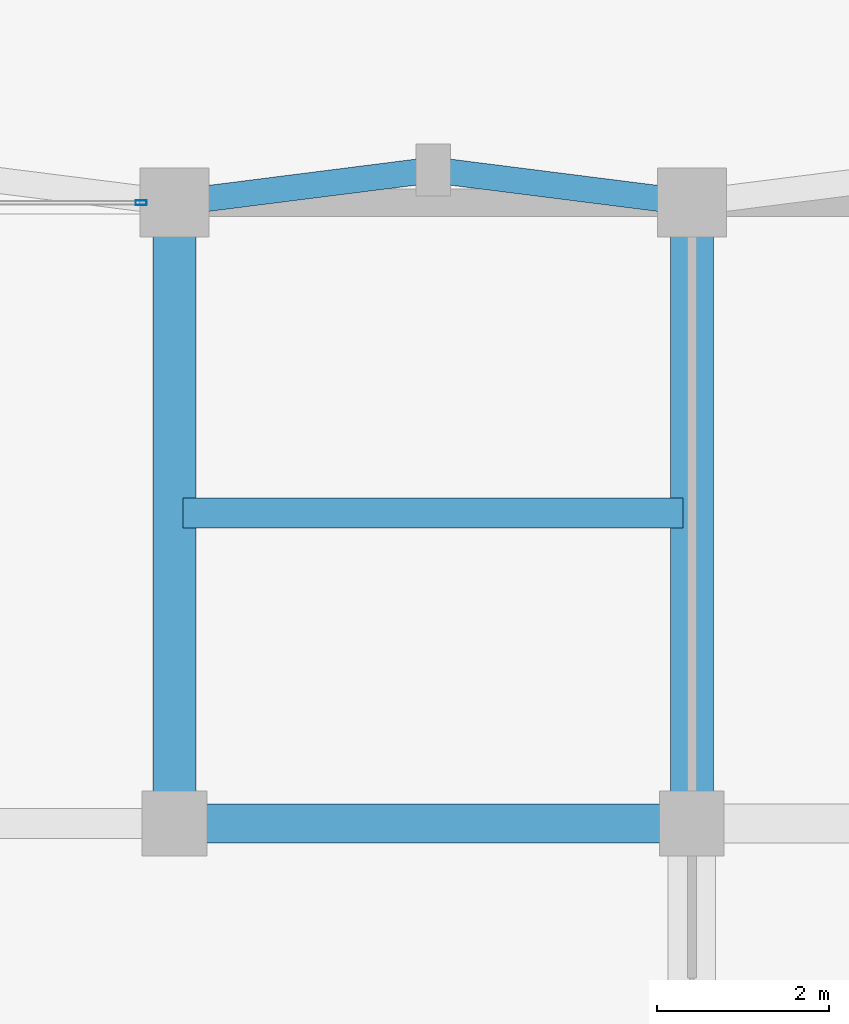
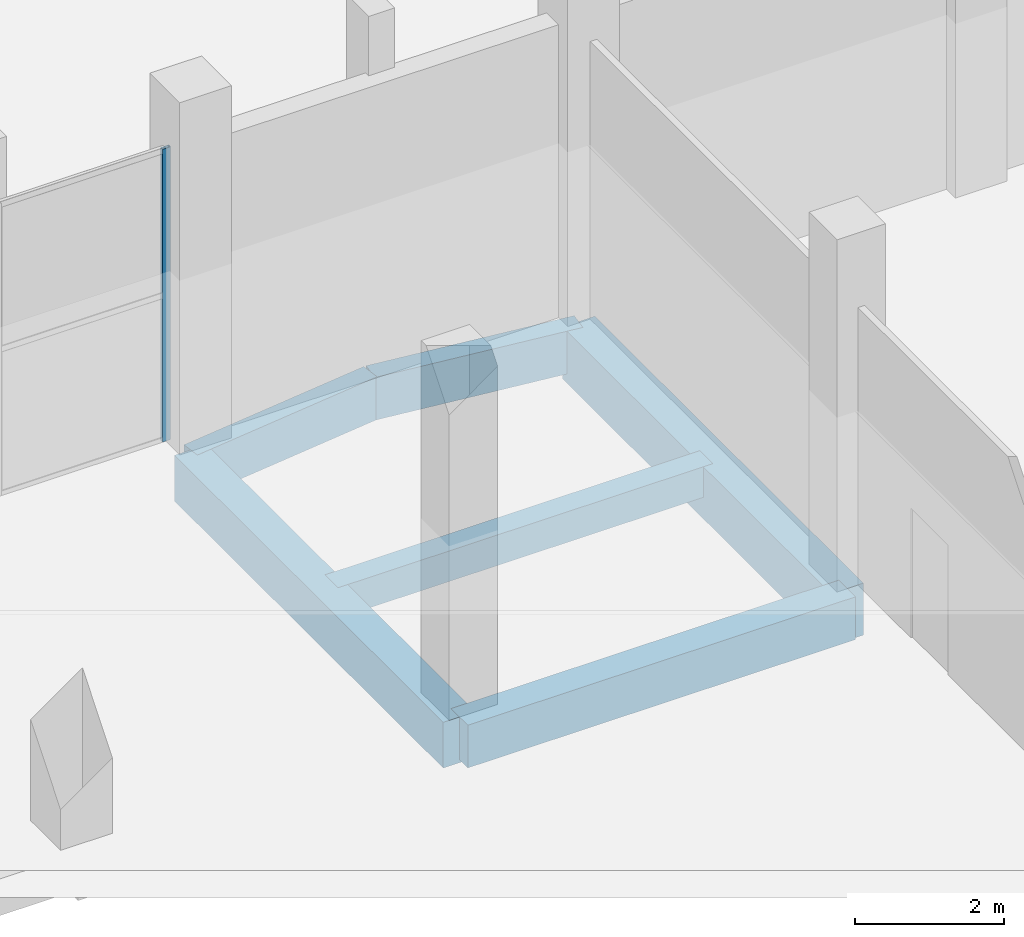
# One storey, part 42 of 103: 6 beams, 1 member, 1 element without a shape of its own.
"""IFC4 building model written with IfcOpenShell, lengths in metres."""

from ifc_helpers import new_model, si_unit, direction, frame, origin, origin_2d, place, context, subcontext, project, spatial, rectangle, hollow_rectangle, extrude, material, layer, layer_set, material_profile, profile_set, type_object, element, aggregate, save


model = new_model("IFC4")

# Units and contexts
model_context = context("Model", 3, precision=1e-05, world=origin(), true_north=direction((0.0, 1.0)))
body_context = subcontext(model_context, "Body", "Model", "MODEL_VIEW")
ifc_project = project(units=[si_unit("LENGTHUNIT", "METRE"), si_unit("AREAUNIT", "SQUARE_METRE"), si_unit("VOLUMEUNIT", "CUBIC_METRE"), si_unit("PLANEANGLEUNIT", "RADIAN"), si_unit("MASSUNIT", "GRAM", prefix="KILO")], contexts=[model_context])

# Site, building, storey
site_placement = place(None, origin())
site = spatial("IfcSite", under=ifc_project, at=site_placement, CompositionType="ELEMENT")
building_placement = place(site_placement, origin())
building = spatial("IfcBuilding", under=site, at=building_placement, Name="Dunvalen Ferry Terminal", CompositionType="ELEMENT")
storey_placement = place(building_placement, origin())
storey = spatial("IfcBuildingStorey", under=building, at=storey_placement, Name="L00", CompositionType="ELEMENT", Elevation=0.0)

# Curtain wall, member
ifc_material_1 = material(Name="Anodised marine aluminium and solar-control glazing", Category="aluminium")
ifc_layer = layer(ifc_material_1, 0.14990234375, Name="Anodised marine aluminium and solar-control glazing")
ifc_layer_set = layer_set([ifc_layer], Name="Anodised marine aluminium and solar-control glazing")
curtain_wall_type = type_object("IfcCurtainWallType", Name="ENV-CW-SYS-11", PredefinedType="NOTDEFINED", material=ifc_layer_set)
curtain_wall_placement = place(storey_placement, origin())
curtain_wall = element("IfcCurtainWall", 1, at=curtain_wall_placement, inside=storey, type_object=curtain_wall_type, Name="L00 Curtain Wall CW-V5CORE-L00-7-7", PredefinedType="NOTDEFINED")
ifc_material_2 = material(Name="Anodised marine aluminium EN AW-6063 T6", Category="aluminium")
ifc_material_profile_1 = material_profile(ifc_material_2, hollow_rectangle(XDim=0.054931640625, YDim=0.1298828125, WallThickness=0.003173828125, InnerFilletRadius=0.003173828125, OuterFilletRadius=0.00634765625, at=origin_2d()), Name="Anodised marine aluminium EN AW-6063 T6")
ifc_profile_set_1 = profile_set([ifc_material_profile_1], Name="Anodised marine aluminium EN AW-6063 T6")
member_type = type_object("IfcMemberType", Name="ENV-CW-MUL-4", PredefinedType="MULLION", material=ifc_profile_set_1)
member_placement = place(storey_placement, frame((47.612548828125, 36.0, 0.0), z_axis=(0.0, 0.0, 1.0), x_axis=(0.0, -1.0, 0.0)))
member = element("IfcMember", 2, at=member_placement, type_object=member_type, Name="CW-11 mullion 1", PredefinedType="MULLION", context=body_context, shape_type="SweptSolid", body=[
    extrude(hollow_rectangle(XDim=0.054931640625, YDim=0.1298828125, WallThickness=0.003173828125, InnerFilletRadius=0.003173828125, OuterFilletRadius=0.00634765625, at=origin_2d()), origin(), (0.0, 0.0, 1.0), 4.7900390625),
])
aggregate(curtain_wall, [member])

# Beams
ifc_material_3 = material(Name="Concrete C35/45", Category="concrete")
ifc_material_profile_2 = material_profile(ifc_material_3, rectangle(XDim=0.35009765625, YDim=0.5, at=origin_2d()), Name="Concrete C35/45")
ifc_profile_set_2 = profile_set([ifc_material_profile_2], Name="Concrete C35/45")
beam_type_1 = type_object("IfcBeamType", Name="STR-BM-RCB500W", PredefinedType="JOIST", material=ifc_profile_set_2)
beam_1_placement = place(storey_placement, frame((48.10009765625, 32.39990234375, -0.550048828125), z_axis=(1.0, 0.0, 0.0), x_axis=(0.0, 1.0, 0.0)))
element("IfcBeam", 3, at=beam_1_placement, inside=storey, type_object=beam_type_1, Name="L00 V5P0 Secondary Joist 004", PredefinedType="JOIST", context=body_context, shape_type="SweptSolid", body=[
    extrude(rectangle(XDim=0.35009765625, YDim=0.5, at=origin_2d()), origin(), (0.0, 0.0, 1.0), 5.7998046875),
])
ifc_material_4 = material(Name="Concrete C40/50", Category="concrete")
ifc_material_profile_3 = material_profile(ifc_material_4, rectangle(XDim=0.449951171875, YDim=0.699951171875, at=origin_2d()), Name="Concrete C40/50")
ifc_profile_set_3 = profile_set([ifc_material_profile_3], Name="Concrete C40/50")
beam_type_2 = type_object("IfcBeamType", Name="STR-BM-RCB700", PredefinedType="BEAM", material=ifc_profile_set_3)
beam_2_placement = place(storey_placement, frame((48.0, 28.800048828125, -0.64990234375), z_axis=(1.0, 0.0, 0.0), x_axis=(0.0, 1.0, 0.0)))
element("IfcBeam", 4, at=beam_2_placement, inside=storey, type_object=beam_type_2, Name="L00 V5P0 Primary Beam X-060", PredefinedType="BEAM", context=body_context, shape_type="SweptSolid", body=[
    extrude(rectangle(XDim=0.449951171875, YDim=0.699951171875, at=origin_2d()), origin(), (0.0, 0.0, 1.0), 6.0),
])
ifc_material_profile_4 = material_profile(ifc_material_4, rectangle(XDim=0.5, YDim=0.75, at=origin_2d()), Name="Concrete C40/50")
ifc_profile_set_4 = profile_set([ifc_material_profile_4], Name="Concrete C40/50")
beam_type_3 = type_object("IfcBeamType", Name="STR-BM-RCB750", PredefinedType="BEAM", material=ifc_profile_set_4)
beam_3_placement = place(storey_placement, frame((48.0, 28.800048828125, -0.675048828125), z_axis=(0.0, 1.0, 0.0), x_axis=(-1.0, 0.0, 0.0)))
element("IfcBeam", 5, at=beam_3_placement, inside=storey, type_object=beam_type_3, Name="L00 V5P0 Primary Girder Y-110", PredefinedType="BEAM", context=body_context, shape_type="SweptSolid", body=[
    extrude(rectangle(XDim=0.5, YDim=0.75, at=origin_2d()), origin(), (0.0, 0.0, 1.0), 7.199951171875),
])
ifc_material_profile_5 = material_profile(ifc_material_4, rectangle(XDim=0.5, YDim=0.85009765625, at=origin_2d()), Name="Concrete C40/50")
ifc_profile_set_5 = profile_set([ifc_material_profile_5], Name="Concrete C40/50")
beam_type_4 = type_object("IfcBeamType", Name="STR-BM-RCG850", PredefinedType="BEAM", material=ifc_profile_set_5)
beam_4_placement = place(storey_placement, frame((54.0, 28.800048828125, -0.72509765625), z_axis=(0.0, 1.0, 0.0), x_axis=(-1.0, 0.0, 0.0)))
element("IfcBeam", 6, at=beam_4_placement, inside=storey, type_object=beam_type_4, Name="L00 V5P0 Primary Girder Y-115", PredefinedType="BEAM", context=body_context, shape_type="SweptSolid", body=[
    extrude(rectangle(XDim=0.5, YDim=0.85009765625, at=origin_2d()), origin(), (0.0, 0.0, 1.0), 7.199951171875),
])
ifc_material_profile_6 = material_profile(ifc_material_4, rectangle(XDim=0.300048828125, YDim=0.699951171875, at=origin_2d()), Name="Concrete C40/50")
ifc_profile_set_6 = profile_set([ifc_material_profile_6], Name="Concrete C40/50")
beam_type_5 = type_object("IfcBeamType", Name="STR-BM-RCSP700", PredefinedType="SPANDREL", material=ifc_profile_set_6)
for number, where, z_axis, x_axis, name in (
    (7, (48.0, 36.0, -0.64990234375), (0.992077869489, 0.12562444376, 0.0), (-0.12562444376, 0.992077869489, 0.0), "L00 Passage Pilaster Spandrel Tie 07.1"),
    (8, (51.0, 36.3798828125, -0.64990234375), (0.992077869489, -0.12562444376, 0.0), (0.12562444376, 0.992077869489, 0.0), "L00 Passage Pilaster Spandrel Tie 07.2"),
):
    element("IfcBeam", number, at=place(storey_placement, frame(where, z_axis=z_axis, x_axis=x_axis)), inside=storey, type_object=beam_type_5, Name=name, PredefinedType="SPANDREL", context=body_context, shape_type="SweptSolid", body=[
        extrude(rectangle(XDim=0.300048828125, YDim=0.699951171875, at=origin_2d()), origin(), (0.0, 0.0, 1.0), 3.02392578125),
    ])

save(model, "model.ifc")
